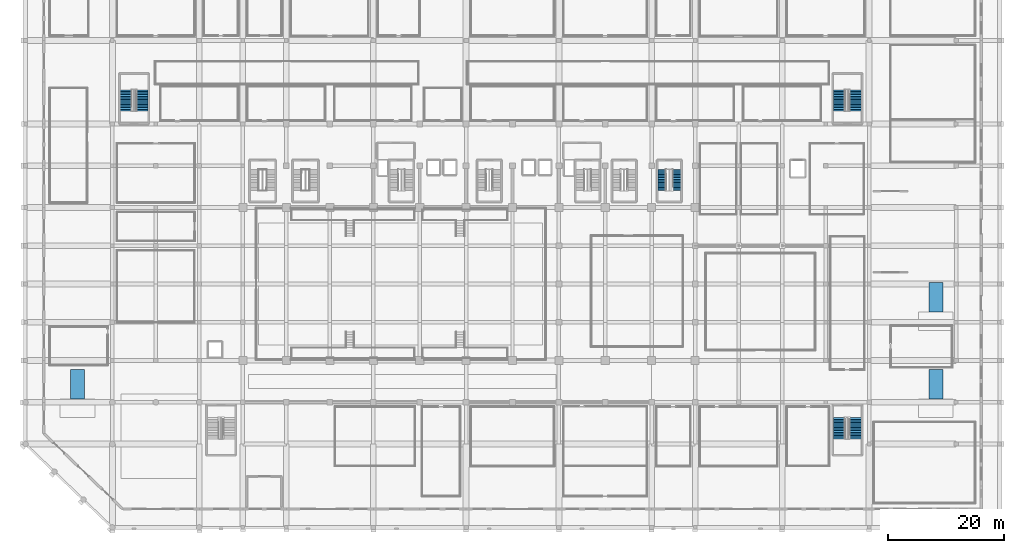
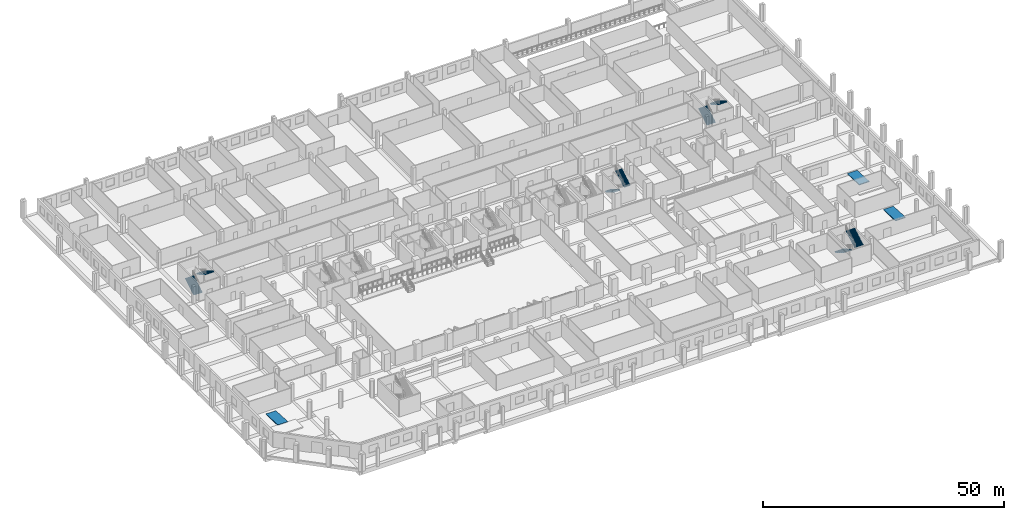
# One storey, part 26 of 33: 8 stair flights, 3 ramp flights, 7 elements without a shape of their own.
"""IFC4 building model written with IfcOpenShell, lengths in metres."""

from ifc_helpers import new_model, si_unit, direction, frame, origin, place, context, subcontext, project, spatial, polyline, outline, extrude, material, layer, layer_set, type_object, element, aggregate, save


model = new_model("IFC4")

# Units and contexts
model_context = context("Model", 3, precision=1e-05, world=origin(), true_north=direction((0.0, 1.0)))
body_context = subcontext(model_context, "Body", "Model", "MODEL_VIEW")
ifc_project = project(units=[si_unit("LENGTHUNIT", "METRE"), si_unit("AREAUNIT", "SQUARE_METRE"), si_unit("VOLUMEUNIT", "CUBIC_METRE"), si_unit("PLANEANGLEUNIT", "RADIAN"), si_unit("MASSUNIT", "GRAM", prefix="KILO")], contexts=[model_context])

# Site, building, storey
site_placement = place(None, origin())
site = spatial("IfcSite", under=ifc_project, at=site_placement, CompositionType="ELEMENT")
building_placement = place(site_placement, origin())
building = spatial("IfcBuilding", under=site, at=building_placement, Name="Akrevak Sports Hall", CompositionType="ELEMENT")
storey_placement = place(building_placement, origin())
storey = spatial("IfcBuildingStorey", under=building, at=storey_placement, Name="L00", CompositionType="ELEMENT", Elevation=0.0)

# Stair, stair flights
ifc_material = material(Name="Concrete C40/50", Category="concrete")
stair_type_1 = type_object("IfcStairType", Name="ARC-STR-DOG-460", PredefinedType="HALF_TURN_STAIR", material=ifc_material)
stair_1_placement = place(storey_placement, origin())
stair_1 = element("IfcStair", 1, at=stair_1_placement, inside=storey, type_object=stair_type_1, Name="East Transfer Exit Stair ST11 (L00 to L01)", PredefinedType="HALF_TURN_STAIR")
stair_flight_type_1 = type_object("IfcStairFlightType", Name="ARC-FLT-165-164", PredefinedType="STRAIGHT", material=ifc_material)
stair_flight_1_placement = place(storey_placement, frame((109.81005859375, 61.735107421875, 0.0), z_axis=(0.0, 0.0, 1.0), x_axis=(0.0, -1.0, 0.0)))
stair_flight_1 = element("IfcStairFlight", 2, at=stair_flight_1_placement, type_object=stair_flight_type_1, Name="Stair ST11 Flight 1 (L00)", NumberOfRisers=14, NumberOfTreads=13, PredefinedType="STRAIGHT", RiserHeight=0.164286, TreadLength=0.28, context=body_context, shape_type="SweptSolid", body=[
    extrude(outline(polyline([(0.0, 0.0), (0.0, 0.164306640625), (0.280029296875, 0.164306640625), (0.280029296875, 0.32861328125), (0.56005859375, 0.32861328125), (0.56005859375, 0.492919921875), (0.840087890625, 0.492919921875), (0.840087890625, 0.6572265625), (1.1201171875, 0.6572265625), (1.1201171875, 0.821533203125), (1.39990234375, 0.821533203125), (1.39990234375, 0.985595703125), (1.679931640625, 0.985595703125), (1.679931640625, 1.14990234375), (1.9599609375, 1.14990234375), (1.9599609375, 1.314208984375), (2.239990234375, 1.314208984375), (2.239990234375, 1.478515625), (2.52001953125, 1.478515625), (2.52001953125, 1.642822265625), (2.800048828125, 1.642822265625), (2.800048828125, 1.80712890625), (3.080078125, 1.80712890625), (3.080078125, 1.971435546875), (3.360107421875, 1.971435546875), (3.360107421875, 2.1357421875), (3.639892578125, 2.1357421875), (3.639892578125, 2.300048828125), (3.639892578125, 1.90380859375), (0.39501953125, 0.0), (0.0, 0.0)])), frame((0.0, 0.75, 0.0), z_axis=(0.0, -1.0, 0.0), x_axis=(1.0, 0.0, 0.0)), (0.0, 0.0, 1.0), 1.5),
])
stair_flight_2_placement = place(storey_placement, frame((112.2900390625, 58.094970703125, 2.300048828125), z_axis=(0.0, 0.0, 1.0), x_axis=(0.0, 1.0, 0.0)))
stair_flight_2 = element("IfcStairFlight", 3, at=stair_flight_2_placement, type_object=stair_flight_type_1, Name="Stair ST11 Flight 2 (L00)", NumberOfRisers=14, NumberOfTreads=13, PredefinedType="STRAIGHT", RiserHeight=0.164286, TreadLength=0.28, context=body_context, shape_type="SweptSolid", body=[
    extrude(outline(polyline([(0.0, 0.0), (0.0, 0.164306640625), (0.280029296875, 0.164306640625), (0.280029296875, 0.32861328125), (0.56005859375, 0.32861328125), (0.56005859375, 0.492919921875), (0.840087890625, 0.492919921875), (0.840087890625, 0.6572265625), (1.1201171875, 0.6572265625), (1.1201171875, 0.821533203125), (1.39990234375, 0.821533203125), (1.39990234375, 0.985595703125), (1.679931640625, 0.985595703125), (1.679931640625, 1.14990234375), (1.9599609375, 1.14990234375), (1.9599609375, 1.314208984375), (2.239990234375, 1.314208984375), (2.239990234375, 1.478515625), (2.52001953125, 1.478515625), (2.52001953125, 1.642822265625), (2.800048828125, 1.642822265625), (2.800048828125, 1.80712890625), (3.080078125, 1.80712890625), (3.080078125, 1.971435546875), (3.360107421875, 1.971435546875), (3.360107421875, 2.1357421875), (3.639892578125, 2.1357421875), (3.639892578125, 2.300048828125), (3.639892578125, 1.90380859375), (0.39501953125, 0.0), (0.0, 0.0)])), frame((0.0, 0.75, 0.0), z_axis=(0.0, -1.0, 0.0), x_axis=(1.0, 0.0, 0.0)), (0.0, 0.0, 1.0), 1.5),
])
aggregate(stair_1, [stair_flight_1, stair_flight_2])

stair_type_2 = type_object("IfcStairType", Name="ARC-STR-PDOG-460", PredefinedType="HALF_TURN_STAIR", material=ifc_material)
stair_2_placement = place(storey_placement, origin())
stair_2 = element("IfcStair", 4, at=stair_2_placement, inside=storey, type_object=stair_type_2, Name="Podium NW Exit Stair ST6 (L00 to L01)", PredefinedType="HALF_TURN_STAIR")
stair_flight_type_2 = type_object("IfcStairFlightType", Name="ARC-FLT-225-164", PredefinedType="STRAIGHT", material=ifc_material)
stair_flight_3_placement = place(storey_placement, frame((17.385009765625, 71.85009765625, 0.0), z_axis=(0.0, 0.0, 1.0), x_axis=(0.0, 1.0, 0.0)))
stair_flight_3 = element("IfcStairFlight", 5, at=stair_flight_3_placement, type_object=stair_flight_type_2, Name="Stair ST6 Flight 1 (L00)", NumberOfRisers=14, NumberOfTreads=13, PredefinedType="STRAIGHT", RiserHeight=0.164286, TreadLength=0.28, context=body_context, shape_type="SweptSolid", body=[
    extrude(outline(polyline([(0.0, 0.0), (0.0, 0.164306640625), (0.280029296875, 0.164306640625), (0.280029296875, 0.32861328125), (0.56005859375, 0.32861328125), (0.56005859375, 0.492919921875), (0.840087890625, 0.492919921875), (0.840087890625, 0.6572265625), (1.1201171875, 0.6572265625), (1.1201171875, 0.821533203125), (1.39990234375, 0.821533203125), (1.39990234375, 0.985595703125), (1.679931640625, 0.985595703125), (1.679931640625, 1.14990234375), (1.9599609375, 1.14990234375), (1.9599609375, 1.314208984375), (2.239990234375, 1.314208984375), (2.239990234375, 1.478515625), (2.52001953125, 1.478515625), (2.52001953125, 1.642822265625), (2.800048828125, 1.642822265625), (2.800048828125, 1.80712890625), (3.080078125, 1.80712890625), (3.080078125, 1.971435546875), (3.360107421875, 1.971435546875), (3.360107421875, 2.1357421875), (3.639892578125, 2.1357421875), (3.639892578125, 2.300048828125), (3.639892578125, 1.90380859375), (0.39501953125, 0.0), (0.0, 0.0)])), frame((0.0, 1.02490234375, 0.0), z_axis=(0.0, -1.0, 0.0), x_axis=(1.0, 0.0, 0.0)), (0.0, 0.0, 1.0), 2.050048828125),
])
stair_flight_4_placement = place(storey_placement, frame((20.114990234375, 75.489990234375, 2.300048828125), z_axis=(0.0, 0.0, 1.0), x_axis=(0.0, -1.0, 0.0)))
stair_flight_4 = element("IfcStairFlight", 6, at=stair_flight_4_placement, type_object=stair_flight_type_2, Name="Stair ST6 Flight 2 (L00)", NumberOfRisers=14, NumberOfTreads=13, PredefinedType="STRAIGHT", RiserHeight=0.164286, TreadLength=0.28, context=body_context, shape_type="SweptSolid", body=[
    extrude(outline(polyline([(0.0, 0.0), (0.0, 0.164306640625), (0.280029296875, 0.164306640625), (0.280029296875, 0.32861328125), (0.56005859375, 0.32861328125), (0.56005859375, 0.492919921875), (0.840087890625, 0.492919921875), (0.840087890625, 0.6572265625), (1.1201171875, 0.6572265625), (1.1201171875, 0.821533203125), (1.39990234375, 0.821533203125), (1.39990234375, 0.985595703125), (1.679931640625, 0.985595703125), (1.679931640625, 1.14990234375), (1.9599609375, 1.14990234375), (1.9599609375, 1.314208984375), (2.239990234375, 1.314208984375), (2.239990234375, 1.478515625), (2.52001953125, 1.478515625), (2.52001953125, 1.642822265625), (2.800048828125, 1.642822265625), (2.800048828125, 1.80712890625), (3.080078125, 1.80712890625), (3.080078125, 1.971435546875), (3.360107421875, 1.971435546875), (3.360107421875, 2.1357421875), (3.639892578125, 2.1357421875), (3.639892578125, 2.300048828125), (3.639892578125, 1.90380859375), (0.39501953125, 0.0), (0.0, 0.0)])), frame((0.0, 1.02490234375, 0.0), z_axis=(0.0, -1.0, 0.0), x_axis=(1.0, 0.0, 0.0)), (0.0, 0.0, 1.0), 2.050048828125),
])
aggregate(stair_2, [stair_flight_3, stair_flight_4])

stair_3_placement = place(storey_placement, origin())
stair_3 = element("IfcStair", 7, at=stair_3_placement, inside=storey, type_object=stair_type_2, Name="Podium SE Exit Stair ST7 (L00 to L01)", PredefinedType="HALF_TURN_STAIR")
stair_flight_5_placement = place(storey_placement, frame((140.385009765625, 18.949951171875, 0.0), z_axis=(0.0, 0.0, 1.0), x_axis=(0.0, -1.0, 0.0)))
stair_flight_5 = element("IfcStairFlight", 8, at=stair_flight_5_placement, type_object=stair_flight_type_2, Name="Stair ST7 Flight 1 (L00)", NumberOfRisers=14, NumberOfTreads=13, PredefinedType="STRAIGHT", RiserHeight=0.164286, TreadLength=0.28, context=body_context, shape_type="SweptSolid", body=[
    extrude(outline(polyline([(0.0, 0.0), (0.0, 0.164306640625), (0.280029296875, 0.164306640625), (0.280029296875, 0.32861328125), (0.56005859375, 0.32861328125), (0.56005859375, 0.492919921875), (0.840087890625, 0.492919921875), (0.840087890625, 0.6572265625), (1.1201171875, 0.6572265625), (1.1201171875, 0.821533203125), (1.39990234375, 0.821533203125), (1.39990234375, 0.985595703125), (1.679931640625, 0.985595703125), (1.679931640625, 1.14990234375), (1.9599609375, 1.14990234375), (1.9599609375, 1.314208984375), (2.239990234375, 1.314208984375), (2.239990234375, 1.478515625), (2.52001953125, 1.478515625), (2.52001953125, 1.642822265625), (2.800048828125, 1.642822265625), (2.800048828125, 1.80712890625), (3.080078125, 1.80712890625), (3.080078125, 1.971435546875), (3.360107421875, 1.971435546875), (3.360107421875, 2.1357421875), (3.639892578125, 2.1357421875), (3.639892578125, 2.300048828125), (3.639892578125, 1.90380859375), (0.39501953125, 0.0), (0.0, 0.0)])), frame((0.0, 1.02490234375, 0.0), z_axis=(0.0, -1.0, 0.0), x_axis=(1.0, 0.0, 0.0)), (0.0, 0.0, 1.0), 2.050048828125),
])
stair_flight_6_placement = place(storey_placement, frame((143.114990234375, 15.31005859375, 2.300048828125), z_axis=(0.0, 0.0, 1.0), x_axis=(0.0, 1.0, 0.0)))
stair_flight_6 = element("IfcStairFlight", 9, at=stair_flight_6_placement, type_object=stair_flight_type_2, Name="Stair ST7 Flight 2 (L00)", NumberOfRisers=14, NumberOfTreads=13, PredefinedType="STRAIGHT", RiserHeight=0.164286, TreadLength=0.28, context=body_context, shape_type="SweptSolid", body=[
    extrude(outline(polyline([(0.0, 0.0), (0.0, 0.164306640625), (0.280029296875, 0.164306640625), (0.280029296875, 0.32861328125), (0.56005859375, 0.32861328125), (0.56005859375, 0.492919921875), (0.840087890625, 0.492919921875), (0.840087890625, 0.6572265625), (1.1201171875, 0.6572265625), (1.1201171875, 0.821533203125), (1.39990234375, 0.821533203125), (1.39990234375, 0.985595703125), (1.679931640625, 0.985595703125), (1.679931640625, 1.14990234375), (1.9599609375, 1.14990234375), (1.9599609375, 1.314208984375), (2.239990234375, 1.314208984375), (2.239990234375, 1.478515625), (2.52001953125, 1.478515625), (2.52001953125, 1.642822265625), (2.800048828125, 1.642822265625), (2.800048828125, 1.80712890625), (3.080078125, 1.80712890625), (3.080078125, 1.971435546875), (3.360107421875, 1.971435546875), (3.360107421875, 2.1357421875), (3.639892578125, 2.1357421875), (3.639892578125, 2.300048828125), (3.639892578125, 1.90380859375), (0.39501953125, 0.0), (0.0, 0.0)])), frame((0.0, 1.02490234375, 0.0), z_axis=(0.0, -1.0, 0.0), x_axis=(1.0, 0.0, 0.0)), (0.0, 0.0, 1.0), 2.050048828125),
])
aggregate(stair_3, [stair_flight_5, stair_flight_6])

stair_4_placement = place(storey_placement, origin())
stair_4 = element("IfcStair", 10, at=stair_4_placement, inside=storey, type_object=stair_type_2, Name="Podium NE Exit Stair ST8 (L00 to L01)", PredefinedType="HALF_TURN_STAIR")
stair_flight_7_placement = place(storey_placement, frame((140.385009765625, 71.85009765625, 0.0), z_axis=(0.0, 0.0, 1.0), x_axis=(0.0, 1.0, 0.0)))
stair_flight_7 = element("IfcStairFlight", 11, at=stair_flight_7_placement, type_object=stair_flight_type_2, Name="Stair ST8 Flight 1 (L00)", NumberOfRisers=14, NumberOfTreads=13, PredefinedType="STRAIGHT", RiserHeight=0.164286, TreadLength=0.28, context=body_context, shape_type="SweptSolid", body=[
    extrude(outline(polyline([(0.0, 0.0), (0.0, 0.164306640625), (0.280029296875, 0.164306640625), (0.280029296875, 0.32861328125), (0.56005859375, 0.32861328125), (0.56005859375, 0.492919921875), (0.840087890625, 0.492919921875), (0.840087890625, 0.6572265625), (1.1201171875, 0.6572265625), (1.1201171875, 0.821533203125), (1.39990234375, 0.821533203125), (1.39990234375, 0.985595703125), (1.679931640625, 0.985595703125), (1.679931640625, 1.14990234375), (1.9599609375, 1.14990234375), (1.9599609375, 1.314208984375), (2.239990234375, 1.314208984375), (2.239990234375, 1.478515625), (2.52001953125, 1.478515625), (2.52001953125, 1.642822265625), (2.800048828125, 1.642822265625), (2.800048828125, 1.80712890625), (3.080078125, 1.80712890625), (3.080078125, 1.971435546875), (3.360107421875, 1.971435546875), (3.360107421875, 2.1357421875), (3.639892578125, 2.1357421875), (3.639892578125, 2.300048828125), (3.639892578125, 1.90380859375), (0.39501953125, 0.0), (0.0, 0.0)])), frame((0.0, 1.02490234375, 0.0), z_axis=(0.0, -1.0, 0.0), x_axis=(1.0, 0.0, 0.0)), (0.0, 0.0, 1.0), 2.050048828125),
])
stair_flight_8_placement = place(storey_placement, frame((143.114990234375, 75.489990234375, 2.300048828125), z_axis=(0.0, 0.0, 1.0), x_axis=(0.0, -1.0, 0.0)))
stair_flight_8 = element("IfcStairFlight", 12, at=stair_flight_8_placement, type_object=stair_flight_type_2, Name="Stair ST8 Flight 2 (L00)", NumberOfRisers=14, NumberOfTreads=13, PredefinedType="STRAIGHT", RiserHeight=0.164286, TreadLength=0.28, context=body_context, shape_type="SweptSolid", body=[
    extrude(outline(polyline([(0.0, 0.0), (0.0, 0.164306640625), (0.280029296875, 0.164306640625), (0.280029296875, 0.32861328125), (0.56005859375, 0.32861328125), (0.56005859375, 0.492919921875), (0.840087890625, 0.492919921875), (0.840087890625, 0.6572265625), (1.1201171875, 0.6572265625), (1.1201171875, 0.821533203125), (1.39990234375, 0.821533203125), (1.39990234375, 0.985595703125), (1.679931640625, 0.985595703125), (1.679931640625, 1.14990234375), (1.9599609375, 1.14990234375), (1.9599609375, 1.314208984375), (2.239990234375, 1.314208984375), (2.239990234375, 1.478515625), (2.52001953125, 1.478515625), (2.52001953125, 1.642822265625), (2.800048828125, 1.642822265625), (2.800048828125, 1.80712890625), (3.080078125, 1.80712890625), (3.080078125, 1.971435546875), (3.360107421875, 1.971435546875), (3.360107421875, 2.1357421875), (3.639892578125, 2.1357421875), (3.639892578125, 2.300048828125), (3.639892578125, 1.90380859375), (0.39501953125, 0.0), (0.0, 0.0)])), frame((0.0, 1.02490234375, 0.0), z_axis=(0.0, -1.0, 0.0), x_axis=(1.0, 0.0, 0.0)), (0.0, 0.0, 1.0), 2.050048828125),
])
aggregate(stair_4, [stair_flight_7, stair_flight_8])

# Ramp, ramp flight
ramp_type = type_object("IfcRampType", Name="ARC-RAMP-PED", PredefinedType="STRAIGHT_RUN_RAMP", material=ifc_material)
ramp_1_placement = place(storey_placement, origin())
ramp_1 = element("IfcRamp", 13, at=ramp_1_placement, inside=storey, type_object=ramp_type, Name="West Foyer Accessible Viewing Ramp RP-1", PredefinedType="STRAIGHT_RUN_RAMP")
ifc_layer = layer(ifc_material, 0.219970703125, Name="Concrete C40/50")
ifc_layer_set = layer_set([ifc_layer], Name="Concrete C40/50")
ramp_flight_type = type_object("IfcRampFlightType", Name="ARC-RFLT-PED", PredefinedType="STRAIGHT", material=ifc_layer_set)
ramp_flight_1_placement = place(storey_placement, frame((9.0, 27.239990234375, 0.0), z_axis=(0.0, 0.0, 1.0), x_axis=(0.0, -1.0, 0.0)))
ramp_flight_1 = element("IfcRampFlight", 14, at=ramp_flight_1_placement, type_object=ramp_flight_type, Name="West Foyer Accessible Viewing Ramp RP-1 Flight", PredefinedType="STRAIGHT", context=body_context, shape_type="SweptSolid", body=[
    extrude(outline(polyline([(0.0, 0.0), (5.0400390625, 0.280029296875), (5.0400390625, 0.06005859375), (0.0, -0.219970703125), (0.0, 0.0)])), frame((0.0, 1.199951171875, 0.0), z_axis=(0.0, -1.0, 0.0), x_axis=(1.0, 0.0, 0.0)), (0.0, 0.0, 1.0), 2.39990234375),
])
aggregate(ramp_1, [ramp_flight_1])

ramp_2_placement = place(storey_placement, origin())
ramp_2 = element("IfcRamp", 15, at=ramp_2_placement, inside=storey, type_object=ramp_type, Name="East Concourse Accessible Viewing Ramp RP-2", PredefinedType="STRAIGHT_RUN_RAMP")
ramp_flight_2_placement = place(storey_placement, frame((157.0, 27.239990234375, 0.0), z_axis=(0.0, 0.0, 1.0), x_axis=(0.0, -1.0, 0.0)))
ramp_flight_2 = element("IfcRampFlight", 16, at=ramp_flight_2_placement, type_object=ramp_flight_type, Name="East Concourse Accessible Viewing Ramp RP-2 Flight", PredefinedType="STRAIGHT", context=body_context, shape_type="SweptSolid", body=[
    extrude(outline(polyline([(0.0, 0.0), (5.0400390625, 0.280029296875), (5.0400390625, 0.06005859375), (0.0, -0.219970703125), (0.0, 0.0)])), frame((0.0, 1.199951171875, 0.0), z_axis=(0.0, -1.0, 0.0), x_axis=(1.0, 0.0, 0.0)), (0.0, 0.0, 1.0), 2.39990234375),
])
aggregate(ramp_2, [ramp_flight_2])

ramp_3_placement = place(storey_placement, origin())
ramp_3 = element("IfcRamp", 17, at=ramp_3_placement, inside=storey, type_object=ramp_type, Name="Climbing Concourse Accessible Viewing Ramp RP-3", PredefinedType="STRAIGHT_RUN_RAMP")
ramp_flight_3_placement = place(storey_placement, frame((157.0, 42.239990234375, 0.0), z_axis=(0.0, 0.0, 1.0), x_axis=(0.0, -1.0, 0.0)))
ramp_flight_3 = element("IfcRampFlight", 18, at=ramp_flight_3_placement, type_object=ramp_flight_type, Name="Climbing Concourse Accessible Viewing Ramp RP-3 Flight", PredefinedType="STRAIGHT", context=body_context, shape_type="SweptSolid", body=[
    extrude(outline(polyline([(0.0, 0.0), (5.0400390625, 0.280029296875), (5.0400390625, 0.06005859375), (0.0, -0.219970703125), (0.0, 0.0)])), frame((0.0, 1.199951171875, 0.0), z_axis=(0.0, -1.0, 0.0), x_axis=(1.0, 0.0, 0.0)), (0.0, 0.0, 1.0), 2.39990234375),
])
aggregate(ramp_3, [ramp_flight_3])

save(model, "model.ifc")
